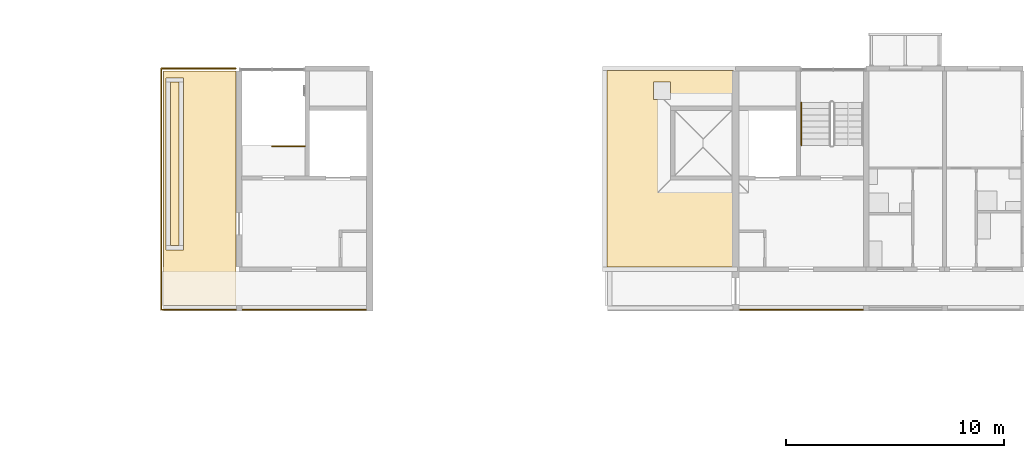
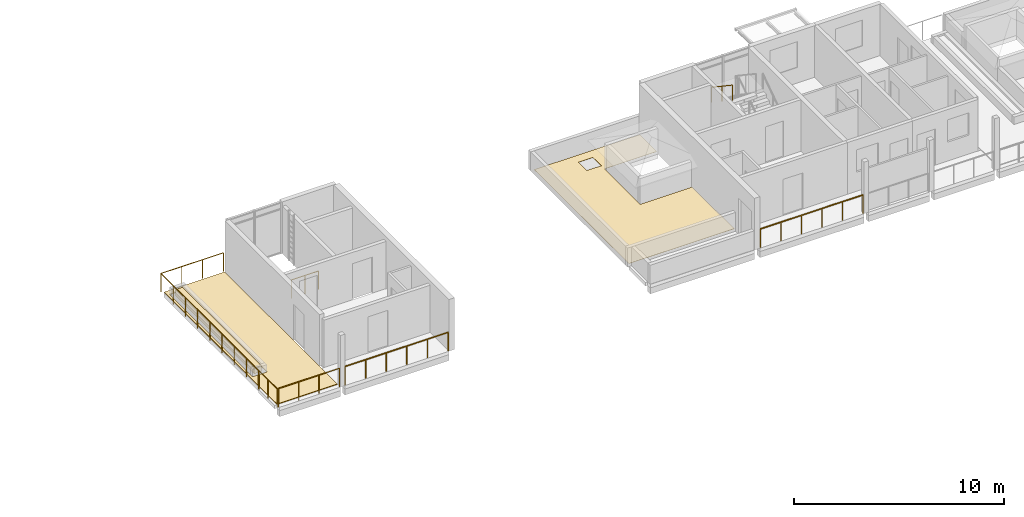
# One storey, part 71 of 78: 7 railings, 4 coverings.
"""IFC4 building model written with IfcOpenShell, lengths in metres."""

from ifc_helpers import new_model, si_unit, direction, frame, origin, origin_2d, place, context, subcontext, project, spatial, polyline, circle, outline, extrude, material, layer, layer_set, type_object, element, save


model = new_model("IFC4")

# Units and contexts
model_context = context("Model", 3, precision=1e-05, world=origin(), true_north=direction((0.0, 1.0)))
body_context = subcontext(model_context, "Body", "Model", "MODEL_VIEW")
ifc_project = project(units=[si_unit("LENGTHUNIT", "METRE"), si_unit("AREAUNIT", "SQUARE_METRE"), si_unit("VOLUMEUNIT", "CUBIC_METRE"), si_unit("PLANEANGLEUNIT", "RADIAN"), si_unit("MASSUNIT", "GRAM", prefix="KILO")], contexts=[model_context])

# Site, building, storey
site_placement = place(None, origin())
site = spatial("IfcSite", under=ifc_project, at=site_placement, CompositionType="ELEMENT")
building_placement = place(site_placement, origin())
building = spatial("IfcBuilding", under=site, at=building_placement, Name="Ridgestep Commons", CompositionType="ELEMENT")
storey_placement = place(building_placement, frame((0.0, 0.0, 30.0)))
storey = spatial("IfcBuildingStorey", under=building, at=storey_placement, Name="L10", CompositionType="ELEMENT", Elevation=30.0)

# Railings
ifc_material_1 = material(Name="Structural steel S355JR", Category="steel")
railing_type_1 = type_object("IfcRailingType", Name="Guard 1100", PredefinedType="GUARDRAIL", material=ifc_material_1)
railing_1_placement = place(storey_placement, frame((154.02099609375, 67.821044921875, 0.0)))
element("IfcRailing", 1, at=railing_1_placement, inside=storey, type_object=railing_type_1, Name="Guard TD-C1R3-GD", PredefinedType="GUARDRAIL", context=body_context, shape_type="SweptSolid", body=[
    extrude(circle(Radius=0.02392578125, at=origin_2d()), frame((0.0, 0.0, 1.076171875), z_axis=(0.0, 1.0, 0.0), x_axis=(-1.0, 0.0, 0.0)), (0.0, 0.0, 1.0), 9.303955078125),
    extrude(circle(Radius=0.02392578125, at=origin_2d()), frame((0.0, 9.303955078125, 1.076171875), z_axis=(1.0, 0.0, 0.0), x_axis=(0.0, 1.0, 0.0)), (0.0, 0.0, 1.0), 3.43310546875),
    extrude(circle(Radius=0.02099609375, at=origin_2d()), origin(), (0.0, 0.0, 1.0), 1.052001953125),
    extrude(circle(Radius=0.02099609375, at=origin_2d()), frame((0.0, 1.1630859375, 0.0)), (0.0, 0.0, 1.0), 1.052001953125),
    extrude(circle(Radius=0.02099609375, at=origin_2d()), frame((0.0, 2.325927734375, 0.0)), (0.0, 0.0, 1.0), 1.052001953125),
    extrude(circle(Radius=0.02099609375, at=origin_2d()), frame((0.0, 3.489013671875, 0.0)), (0.0, 0.0, 1.0), 1.052001953125),
    extrude(circle(Radius=0.02099609375, at=origin_2d()), frame((0.0, 4.65185546875, 0.0)), (0.0, 0.0, 1.0), 1.052001953125),
    extrude(circle(Radius=0.02099609375, at=origin_2d()), frame((0.0, 5.81494140625, 0.0)), (0.0, 0.0, 1.0), 1.052001953125),
    extrude(circle(Radius=0.02099609375, at=origin_2d()), frame((0.0, 6.97802734375, 0.0)), (0.0, 0.0, 1.0), 1.052001953125),
    extrude(circle(Radius=0.02099609375, at=origin_2d()), frame((0.0, 8.140869140625, 0.0)), (0.0, 0.0, 1.0), 1.052001953125),
    extrude(circle(Radius=0.02099609375, at=origin_2d()), frame((0.0, 9.303955078125, 0.0)), (0.0, 0.0, 1.0), 1.052001953125),
    extrude(circle(Radius=0.02099609375, at=origin_2d()), frame((1.144287109375, 9.303955078125, 0.0)), (0.0, 0.0, 1.0), 1.052001953125),
    extrude(circle(Radius=0.02099609375, at=origin_2d()), frame((2.288818359375, 9.303955078125, 0.0)), (0.0, 0.0, 1.0), 1.052001953125),
    extrude(circle(Radius=0.02099609375, at=origin_2d()), frame((3.43310546875, 9.303955078125, 0.0)), (0.0, 0.0, 1.0), 1.052001953125),
])
railing_2_placement = place(storey_placement, frame((154.083984375, 66.050048828125, 0.0)))
element("IfcRailing", 2, at=railing_2_placement, inside=storey, type_object=railing_type_1, Name="Gallery guard C 10.1", PredefinedType="GUARDRAIL", context=body_context, shape_type="SweptSolid", body=[
    extrude(circle(Radius=0.02392578125, at=origin_2d()), frame((0.0, 0.0, 1.076171875), z_axis=(1.0, 0.0, 0.0), x_axis=(0.0, 1.0, 0.0)), (0.0, 0.0, 1.0), 3.3701171875),
    extrude(circle(Radius=0.02099609375, at=origin_2d()), origin(), (0.0, 0.0, 1.0), 1.052001953125),
    extrude(circle(Radius=0.02099609375, at=origin_2d()), frame((1.123291015625, 0.0, 0.0)), (0.0, 0.0, 1.0), 1.052001953125),
    extrude(circle(Radius=0.02099609375, at=origin_2d()), frame((2.246826171875, 0.0, 0.0)), (0.0, 0.0, 1.0), 1.052001953125),
    extrude(circle(Radius=0.02099609375, at=origin_2d()), frame((3.3701171875, 0.0, 0.0)), (0.0, 0.0, 1.0), 1.052001953125),
])
railing_3_placement = place(storey_placement, frame((154.02099609375, 66.050048828125, 0.0)))
element("IfcRailing", 3, at=railing_3_placement, inside=storey, type_object=railing_type_1, Name="Gallery end guard C 10.1W", PredefinedType="GUARDRAIL", context=body_context, shape_type="SweptSolid", body=[
    extrude(circle(Radius=0.02392578125, at=origin_2d()), frame((0.0, 0.0, 1.076171875), z_axis=(0.0, 1.0, 0.0), x_axis=(-1.0, 0.0, 0.0)), (0.0, 0.0, 1.0), 1.72900390625),
    extrude(circle(Radius=0.02099609375, at=origin_2d()), origin(), (0.0, 0.0, 1.0), 1.052001953125),
    extrude(circle(Radius=0.02099609375, at=origin_2d()), frame((0.0, 0.864501953125, 0.0)), (0.0, 0.0, 1.0), 1.052001953125),
    extrude(circle(Radius=0.02099609375, at=origin_2d()), frame((0.0, 1.72900390625, 0.0)), (0.0, 0.0, 1.0), 1.052001953125),
])
railing_4_placement = place(storey_placement, frame((157.74609375, 66.050048828125, 0.0)))
element("IfcRailing", 4, at=railing_4_placement, inside=storey, type_object=railing_type_1, Name="Gallery guard C 10.2", PredefinedType="GUARDRAIL", context=body_context, shape_type="SweptSolid", body=[
    extrude(circle(Radius=0.02392578125, at=origin_2d()), frame((0.0, 0.0, 1.076171875), z_axis=(1.0, 0.0, 0.0), x_axis=(0.0, 1.0, 0.0)), (0.0, 0.0, 1.0), 5.682861328125),
    extrude(circle(Radius=0.02099609375, at=origin_2d()), origin(), (0.0, 0.0, 1.0), 1.052001953125),
    extrude(circle(Radius=0.02099609375, at=origin_2d()), frame((1.136474609375, 0.0, 0.0)), (0.0, 0.0, 1.0), 1.052001953125),
    extrude(circle(Radius=0.02099609375, at=origin_2d()), frame((2.273193359375, 0.0, 0.0)), (0.0, 0.0, 1.0), 1.052001953125),
    extrude(circle(Radius=0.02099609375, at=origin_2d()), frame((3.40966796875, 0.0, 0.0)), (0.0, 0.0, 1.0), 1.052001953125),
    extrude(circle(Radius=0.02099609375, at=origin_2d()), frame((4.54638671875, 0.0, 0.0)), (0.0, 0.0, 1.0), 1.052001953125),
    extrude(circle(Radius=0.02099609375, at=origin_2d()), frame((5.682861328125, 0.0, 0.0)), (0.0, 0.0, 1.0), 1.052001953125),
])
railing_5_placement = place(storey_placement, frame((180.611083984375, 66.050048828125, 0.0)))
element("IfcRailing", 5, at=railing_5_placement, inside=storey, type_object=railing_type_1, Name="Gallery guard C 10.2", PredefinedType="GUARDRAIL", context=body_context, shape_type="SweptSolid", body=[
    extrude(circle(Radius=0.02392578125, at=origin_2d()), frame((0.0, 0.0, 1.076171875), z_axis=(1.0, 0.0, 0.0), x_axis=(0.0, 1.0, 0.0)), (0.0, 0.0, 1.0), 5.642822265625),
    extrude(circle(Radius=0.02099609375, at=origin_2d()), origin(), (0.0, 0.0, 1.0), 1.052001953125),
    extrude(circle(Radius=0.02099609375, at=origin_2d()), frame((1.128662109375, 0.0, 0.0)), (0.0, 0.0, 1.0), 1.052001953125),
    extrude(circle(Radius=0.02099609375, at=origin_2d()), frame((2.257080078125, 0.0, 0.0)), (0.0, 0.0, 1.0), 1.052001953125),
    extrude(circle(Radius=0.02099609375, at=origin_2d()), frame((3.3857421875, 0.0, 0.0)), (0.0, 0.0, 1.0), 1.052001953125),
    extrude(circle(Radius=0.02099609375, at=origin_2d()), frame((4.51416015625, 0.0, 0.0)), (0.0, 0.0, 1.0), 1.052001953125),
    extrude(circle(Radius=0.02099609375, at=origin_2d()), frame((5.642822265625, 0.0, 0.0)), (0.0, 0.0, 1.0), 1.052001953125),
])

# Coverings
ifc_material_2 = material(Name="Planting soil")
ifc_layer_1 = layer(ifc_material_2, 0.35009765625)
ifc_layer_set_1 = layer_set([ifc_layer_1], Name="Planting soil 350")
covering_type_1 = type_object("IfcCoveringType", Name="Planting soil 350", PredefinedType="FLOORING", material=ifc_layer_set_1)
covering_1_placement = place(storey_placement, frame((0.0, 0.0, 0.010009765625)))
element("IfcCovering", 6, at=covering_1_placement, inside=storey, type_object=covering_type_1, Name="Planting soil C1R3", PredefinedType="FLOORING", context=body_context, shape_type="SweptSolid", body=[
    extrude(outline(polyline([(154.449951171875, 69.0), (154.85009765625, 69.0), (154.85009765625, 76.5), (154.449951171875, 76.5), (154.449951171875, 69.0)])), origin(), (0.0, 0.0, 1.0), 0.35009765625),
])
ifc_material_3 = material(Name="Bitumen membrane, two layer")
ifc_layer_2 = layer(ifc_material_3, 0.011962890625)
ifc_layer_set_2 = layer_set([ifc_layer_2], Name="Roof membrane 12")
covering_type_2 = type_object("IfcCoveringType", Name="Roof membrane 12", PredefinedType="ROOFING", material=ifc_layer_set_2)
covering_2_placement = place(storey_placement, origin())
element("IfcCovering", 7, at=covering_2_placement, inside=storey, type_object=covering_type_2, Name="Roof membrane C2C", PredefinedType="ROOFING", context=body_context, shape_type="SweptSolid", body=[
    extrude(outline(polyline([(174.5, 68.0), (174.5, 77.02490234375), (180.300048828125, 77.02490234375), (180.300048828125, 75.39990234375), (177.425048828125, 75.39990234375), (177.425048828125, 72.0), (180.300048828125, 72.0), (180.300048828125, 68.0), (174.5, 68.0)]), holes=[polyline([(177.425048828125, 76.5), (176.625, 76.5), (176.625, 75.699951171875), (177.425048828125, 75.699951171875), (177.425048828125, 76.5)])]), origin(), (0.0, 0.0, 1.0), 0.011962890625),
])

# Railings
ifc_material_4 = material(Name="Structural steel S355JR", Category="steel")
railing_type_2 = type_object("IfcRailingType", Name="Stair guard 1100", PredefinedType="GUARDRAIL", material=ifc_material_4)
railing_6_placement = place(storey_placement, frame((160.625, 73.550048828125, 0.0)))
element("IfcRailing", 8, at=railing_6_placement, inside=storey, type_object=railing_type_2, Name="L10 C1C top well guard 1", PredefinedType="GUARDRAIL", context=body_context, shape_type="SweptSolid", body=[
    extrude(circle(Radius=0.02392578125, at=origin_2d()), frame((0.0, 0.0, 1.076171875), z_axis=(-1.0, 0.0, 0.0), x_axis=(0.0, -1.0, 0.0)), (0.0, 0.0, 1.0), 1.5),
    extrude(circle(Radius=0.02099609375, at=origin_2d()), origin(), (0.0, 0.0, 1.0), 1.052001953125),
    extrude(circle(Radius=0.02099609375, at=origin_2d()), frame((-0.75, 0.0, 0.0)), (0.0, 0.0, 1.0), 1.052001953125),
    extrude(circle(Radius=0.02099609375, at=origin_2d()), frame((-1.5, 0.0, 0.0)), (0.0, 0.0, 1.0), 1.052001953125),
])
ifc_material_5 = material(Name="Structural steel S355JR", Category="steel")
railing_type_3 = type_object("IfcRailingType", Name="Stair handrail 900", PredefinedType="HANDRAIL", material=ifc_material_5)
railing_7_placement = place(storey_placement, frame((183.425048828125, 75.56005859375, 1.6875)))
element("IfcRailing", 9, at=railing_7_placement, inside=storey, type_object=railing_type_3, Name="L10 C3C stair handrail 2", PredefinedType="HANDRAIL", context=body_context, shape_type="SweptSolid", body=[
    extrude(circle(Radius=0.02392578125, at=origin_2d()), frame((0.0, 0.0, 0.8759765625), z_axis=(0.0, -0.830902050051, 0.556418712142), x_axis=(1.0, 0.0, 0.0)), (0.0, 0.0, 1.0), 2.35888671875),
    extrude(circle(Radius=0.02099609375, at=origin_2d()), origin(), (0.0, 0.0, 1.0), 0.851806640625),
    extrude(circle(Radius=0.02099609375, at=origin_2d()), frame((0.0, -0.97998046875, 0.65625)), (0.0, 0.0, 1.0), 0.851806640625),
    extrude(circle(Radius=0.02099609375, at=origin_2d()), frame((0.0, -1.9599609375, 1.3125)), (0.0, 0.0, 1.0), 0.851806640625),
])

# Coverings
ifc_material_6 = material(Name="Bitumen membrane, two layer")
ifc_layer_3 = layer(ifc_material_6, 0.010009765625)
ifc_layer_set_3 = layer_set([ifc_layer_3], Name="Terrace membrane 10")
covering_type_3 = type_object("IfcCoveringType", Name="Terrace membrane 10", PredefinedType="ROOFING", material=ifc_layer_set_3)
covering_3_placement = place(storey_placement, origin())
element("IfcCovering", 10, at=covering_3_placement, inside=storey, type_object=covering_type_3, Name="Terrace membrane C1R3", PredefinedType="ROOFING", context=body_context, shape_type="SweptSolid", body=[
    extrude(outline(polyline([(157.449951171875, 66.25), (157.449951171875, 77.0), (154.125, 77.0), (154.125, 66.25), (157.449951171875, 66.25)]), holes=[polyline([(155.050048828125, 68.800048828125), (155.050048828125, 76.699951171875), (154.25, 76.699951171875), (154.25, 68.800048828125), (155.050048828125, 68.800048828125)])]), origin(), (0.0, 0.0, 1.0), 0.010009765625),
])
ifc_material_7 = material(Name="Concrete paving slab", Category="concrete")
ifc_layer_4 = layer(ifc_material_7, 0.030029296875)
ifc_layer_set_4 = layer_set([ifc_layer_4], Name="Terrace paving 30")
covering_type_4 = type_object("IfcCoveringType", Name="Terrace paving 30", PredefinedType="FLOORING", material=ifc_layer_set_4)
covering_4_placement = place(storey_placement, frame((0.0, 0.0, 0.010009765625)))
element("IfcCovering", 11, at=covering_4_placement, inside=storey, type_object=covering_type_4, Name="Terrace paving C1R3", PredefinedType="FLOORING", context=body_context, shape_type="SweptSolid", body=[
    extrude(outline(polyline([(157.449951171875, 66.25), (157.449951171875, 77.0), (154.125, 77.0), (154.125, 66.25), (157.449951171875, 66.25)]), holes=[polyline([(155.050048828125, 68.800048828125), (155.050048828125, 76.699951171875), (154.25, 76.699951171875), (154.25, 68.800048828125), (155.050048828125, 68.800048828125)])]), origin(), (0.0, 0.0, 1.0), 0.030029296875),
])

save(model, "model.ifc")
